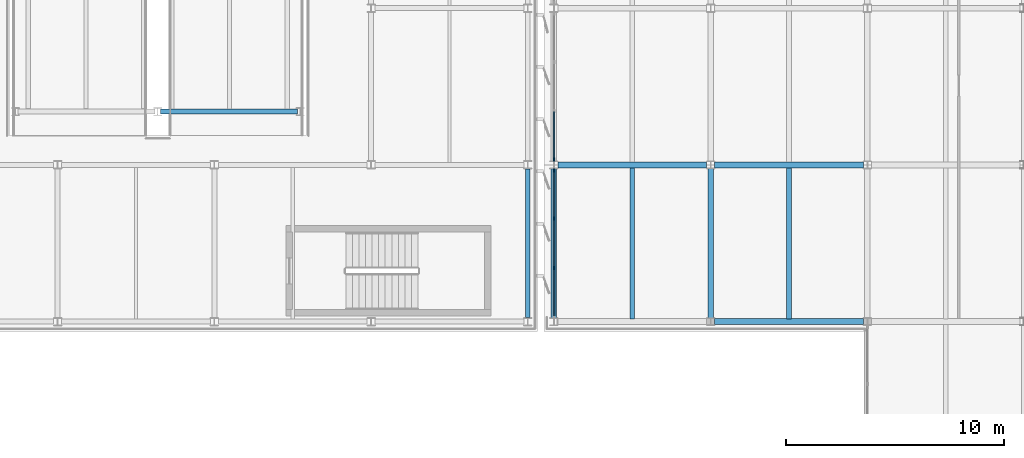
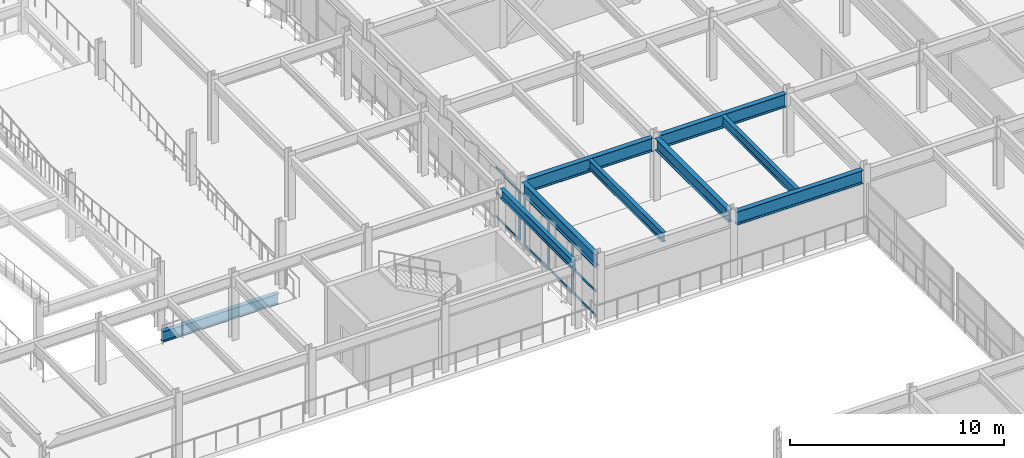
# One storey, part 30 of 80: 16 members, 9 beams, 2 elements without a shape of their own.
"""IFC4 building model written with IfcOpenShell, lengths in metres."""

from ifc_helpers import new_model, si_unit, direction, frame, origin, origin_2d, place, context, subcontext, project, spatial, rectangle, i_section, extrude, material, material_profile, profile_set, type_object, element, aggregate, save


model = new_model("IFC4")

# Units and contexts
model_context = context("Model", 3, precision=1e-05, world=origin(), true_north=direction((0.0, 1.0)))
body_context = subcontext(model_context, "Body", "Model", "MODEL_VIEW")
ifc_project = project(units=[si_unit("LENGTHUNIT", "METRE"), si_unit("AREAUNIT", "SQUARE_METRE"), si_unit("VOLUMEUNIT", "CUBIC_METRE"), si_unit("PLANEANGLEUNIT", "RADIAN"), si_unit("MASSUNIT", "GRAM", prefix="KILO")], contexts=[model_context])

# Site, building, storey
site_placement = place(None, origin())
site = spatial("IfcSite", under=ifc_project, at=site_placement, CompositionType="ELEMENT")
building_placement = place(site_placement, origin())
building = spatial("IfcBuilding", under=site, at=building_placement, Name="Vaelcorin Mobility Hub", CompositionType="ELEMENT")
storey_placement = place(building_placement, frame((0.0, 0.0, 9.300048828125)))
storey = spatial("IfcBuildingStorey", under=building, at=storey_placement, Name="L02", CompositionType="ELEMENT", Elevation=9.300048828125)

# Beams
ifc_material_1 = material(Name="Steel ASTM A992 Grade 50", Category="steel")
ifc_material_profile_1 = material_profile(ifc_material_1, i_section(OverallWidth=0.2099609375, OverallDepth=0.532958984375, WebThickness=0.01025390625, FlangeThickness=0.015625, FilletRadius=0.013916015625, at=origin_2d()), Name="W21X62")
ifc_profile_set_1 = profile_set([ifc_material_profile_1], Name="Steel ASTM A992 Grade 50")
beam_type_1 = type_object("IfcBeamType", Name="BM-W21X62", PredefinedType="JOIST", material=ifc_profile_set_1)
for number, where, z_axis, x_axis, name in (
    (1, (157.199951171875, 76.931884765625, 3.333984375), (0.0, 1.0, 0.0), (-1.0, 0.0, 0.0), "L02 Beam V5-L02-J-01-09-1"),
    (2, (164.39990234375, 76.931884765625, 3.333984375), (0.0, 1.0, 0.0), (-1.0, 0.0, 0.0), "L02 Beam V5-L02-J-02-09-1"),
):
    element("IfcBeam", number, at=place(storey_placement, frame(where, z_axis=z_axis, x_axis=x_axis)), inside=storey, type_object=beam_type_1, Name=name, PredefinedType="JOIST", context=body_context, shape_type="SweptSolid", body=[
        extrude(i_section(OverallWidth=0.2099609375, OverallDepth=0.532958984375, WebThickness=0.01025390625, FlangeThickness=0.015625, FilletRadius=0.013916015625, at=origin_2d()), origin(), (0.0, 0.0, 1.0), 6.93603515625),
    ])
ifc_material_profile_2 = material_profile(ifc_material_1, i_section(OverallWidth=0.2099609375, OverallDepth=0.535888671875, WebThickness=0.010986328125, FlangeThickness=0.017333984375, FilletRadius=0.013916015625, at=origin_2d()), Name="W21X68")
ifc_profile_set_2 = profile_set([ifc_material_profile_2], Name="Steel ASTM A992 Grade 50")
beam_type_2 = type_object("IfcBeamType", Name="BM-W21X68", PredefinedType="SPANDREL", material=ifc_profile_set_2)
beam_1_placement = place(storey_placement, frame((152.39990234375, 76.97998046875, 3.3818359375), z_axis=(0.0, 1.0, 0.0), x_axis=(-1.0, 0.0, 0.0)))
element("IfcBeam", 3, at=beam_1_placement, inside=storey, type_object=beam_type_2, Name="L02 Beam V2E-L02-GY-05-01", PredefinedType="SPANDREL", context=body_context, shape_type="SweptSolid", body=[
    extrude(i_section(OverallWidth=0.2099609375, OverallDepth=0.535888671875, WebThickness=0.010986328125, FlangeThickness=0.017333984375, FilletRadius=0.013916015625, at=origin_2d()), origin(), (0.0, 0.0, 1.0), 6.840087890625),
])
ifc_material_profile_3 = material_profile(ifc_material_1, i_section(OverallWidth=0.22900390625, OverallDepth=0.612060546875, WebThickness=0.011962890625, FlangeThickness=0.01953125, FilletRadius=0.014892578125, at=origin_2d()), Name="W24X84")
ifc_profile_set_3 = profile_set([ifc_material_profile_3], Name="Steel ASTM A992 Grade 50")
beam_type_3 = type_object("IfcBeamType", Name="BM-W24X84", PredefinedType="BEAM", material=ifc_profile_set_3)
beam_2_placement = place(storey_placement, frame((135.530029296875, 86.449951171875, -0.4990234375), z_axis=(1.0, 0.0, 0.0), x_axis=(0.0, 1.0, 0.0)))
element("IfcBeam", 4, at=beam_2_placement, inside=storey, type_object=beam_type_3, Name="Vehicle Ramp VR-2 L02 Bent Girder F1S", PredefinedType="BEAM", context=body_context, shape_type="SweptSolid", body=[
    extrude(i_section(OverallWidth=0.22900390625, OverallDepth=0.612060546875, WebThickness=0.011962890625, FlangeThickness=0.01953125, FilletRadius=0.014892578125, at=origin_2d()), origin(), (0.0, 0.0, 1.0), 6.2900390625),
])
ifc_material_profile_4 = material_profile(ifc_material_1, i_section(OverallWidth=0.25390625, OverallDepth=0.68310546875, WebThickness=0.012451171875, FlangeThickness=0.018798828125, FilletRadius=0.01611328125, at=origin_2d()), Name="W27X94")
ifc_profile_set_4 = profile_set([ifc_material_profile_4], Name="Steel ASTM A992 Grade 50")
beam_type_4 = type_object("IfcBeamType", Name="BM-W27X94", PredefinedType="BEAM", material=ifc_profile_set_4)
for number, where, z_axis, x_axis, name in (
    (5, (153.60009765625, 76.97607421875, 3.258056640625), (0.0, 1.0, 0.0), (-1.0, 0.0, 0.0), "L02 Beam V5-L02-GY-01-09"),
    (6, (160.800048828125, 76.97607421875, 3.258056640625), (0.0, 1.0, 0.0), (-1.0, 0.0, 0.0), "L02 Beam V5-L02-GY-02-09"),
):
    element("IfcBeam", number, at=place(storey_placement, frame(where, z_axis=z_axis, x_axis=x_axis)), inside=storey, type_object=beam_type_4, Name=name, PredefinedType="BEAM", context=body_context, shape_type="SweptSolid", body=[
        extrude(i_section(OverallWidth=0.25390625, OverallDepth=0.68310546875, WebThickness=0.012451171875, FlangeThickness=0.018798828125, FilletRadius=0.01611328125, at=origin_2d()), origin(), (0.0, 0.0, 1.0), 6.847900390625),
    ])
ifc_material_profile_5 = material_profile(ifc_material_1, i_section(OverallWidth=0.26708984375, OverallDepth=0.757080078125, WebThickness=0.013916015625, FlangeThickness=0.019287109375, FilletRadius=0.01708984375, at=origin_2d()), Name="W30X108")
ifc_profile_set_5 = profile_set([ifc_material_profile_5], Name="Steel ASTM A992 Grade 50")
beam_type_5 = type_object("IfcBeamType", Name="BM-W30X108", PredefinedType="BEAM", material=ifc_profile_set_5)
beam_3_placement = place(storey_placement, frame((160.98193359375, 76.800048828125, 3.221923828125), z_axis=(1.0, 0.0, 0.0), x_axis=(0.0, 1.0, 0.0)))
element("IfcBeam", 7, at=beam_3_placement, inside=storey, type_object=beam_type_5, Name="L02 Beam V5-L02-GX-09-02", PredefinedType="BEAM", context=body_context, shape_type="SweptSolid", body=[
    extrude(i_section(OverallWidth=0.26708984375, OverallDepth=0.757080078125, WebThickness=0.013916015625, FlangeThickness=0.019287109375, FilletRadius=0.01708984375, at=origin_2d()), origin(), (0.0, 0.0, 1.0), 6.836181640625),
])
beam_4_placement = place(storey_placement, frame((153.781982421875, 84.0, 3.221923828125), z_axis=(1.0, 0.0, 0.0), x_axis=(0.0, 1.0, 0.0)))
element("IfcBeam", 8, at=beam_4_placement, inside=storey, type_object=beam_type_5, Name="L02 Beam V5-L02-GX-10-01", PredefinedType="BEAM", context=body_context, shape_type="SweptSolid", body=[
    extrude(i_section(OverallWidth=0.26708984375, OverallDepth=0.757080078125, WebThickness=0.013916015625, FlangeThickness=0.019287109375, FilletRadius=0.01708984375, at=origin_2d()), origin(), (0.0, 0.0, 1.0), 6.8359375),
])
beam_5_placement = place(storey_placement, frame((160.98193359375, 84.0, 3.221923828125), z_axis=(1.0, 0.0, 0.0), x_axis=(0.0, 1.0, 0.0)))
element("IfcBeam", 9, at=beam_5_placement, inside=storey, type_object=beam_type_5, Name="L02 Beam V5-L02-GX-10-02", PredefinedType="BEAM", context=body_context, shape_type="SweptSolid", body=[
    extrude(i_section(OverallWidth=0.26708984375, OverallDepth=0.757080078125, WebThickness=0.013916015625, FlangeThickness=0.019287109375, FilletRadius=0.01708984375, at=origin_2d()), origin(), (0.0, 0.0, 1.0), 6.836181640625),
])

# Curtain wall, members
ifc_material_2 = material(Name="Anodised aluminium 6063-T6", Category="aluminium")
curtain_wall_type = type_object("IfcCurtainWallType", Name="CW-MOB-A", PredefinedType="NOTDEFINED", material=ifc_material_2)
curtain_wall_1_placement = place(storey_placement, origin())
curtain_wall_1 = element("IfcCurtainWall", 10, at=curtain_wall_1_placement, inside=storey, type_object=curtain_wall_type, Name="L02 Curtain Wall CW-V5-L02-WN-01", PredefinedType="NOTDEFINED")
ifc_material_profile_6 = material_profile(ifc_material_2, rectangle(XDim=0.06005859375, YDim=0.159912109375, at=origin_2d()), Name="ALU-M60X160")
ifc_profile_set_6 = profile_set([ifc_material_profile_6], Name="Anodised aluminium 6063-T6")
member_type_1 = type_object("IfcMemberType", Name="CW-MULL-160", PredefinedType="MULLION", material=ifc_profile_set_6)
member_1_placement = place(storey_placement, frame((153.60009765625, 79.2734375, 0.0), z_axis=(0.0, 0.0, 1.0), x_axis=(-1.0, 0.0, 0.0)))
member_1 = element("IfcMember", 11, at=member_1_placement, type_object=member_type_1, Name="CW7 mullion 2", PredefinedType="MULLION", context=body_context, shape_type="SweptSolid", body=[
    extrude(rectangle(XDim=0.06005859375, YDim=0.159912109375, at=origin_2d()), origin(), (0.0, 0.0, 1.0), 2.827880859375),
])
member_2_placement = place(storey_placement, frame((153.60009765625, 81.526611328125, 0.0), z_axis=(0.0, 0.0, 1.0), x_axis=(-1.0, 0.0, 0.0)))
member_2 = element("IfcMember", 12, at=member_2_placement, type_object=member_type_1, Name="CW7 mullion 3", PredefinedType="MULLION", context=body_context, shape_type="SweptSolid", body=[
    extrude(rectangle(XDim=0.06005859375, YDim=0.159912109375, at=origin_2d()), origin(), (0.0, 0.0, 1.0), 2.827880859375),
])
member_3_placement = place(storey_placement, frame((153.60009765625, 83.75, 0.0), z_axis=(0.0, 0.0, 1.0), x_axis=(-1.0, 0.0, 0.0)))
member_3 = element("IfcMember", 13, at=member_3_placement, type_object=member_type_1, Name="CW7 mullion 4", PredefinedType="MULLION", context=body_context, shape_type="SweptSolid", body=[
    extrude(rectangle(XDim=0.06005859375, YDim=0.159912109375, at=origin_2d()), origin(), (0.0, 0.0, 1.0), 2.827880859375),
])

# Curtain wall, member
curtain_wall_2_placement = place(storey_placement, origin())
curtain_wall_2 = element("IfcCurtainWall", 14, at=curtain_wall_2_placement, inside=storey, type_object=curtain_wall_type, Name="L02 Curtain Wall CW-V5-L02-WN-02", PredefinedType="NOTDEFINED")
member_4_placement = place(storey_placement, frame((153.60009765625, 84.25, 0.0), z_axis=(0.0, 0.0, 1.0), x_axis=(-1.0, 0.0, 0.0)))
member_4 = element("IfcMember", 15, at=member_4_placement, type_object=member_type_1, Name="CW7 mullion 1", PredefinedType="MULLION", context=body_context, shape_type="SweptSolid", body=[
    extrude(rectangle(XDim=0.06005859375, YDim=0.159912109375, at=origin_2d()), origin(), (0.0, 0.0, 1.0), 2.827880859375),
])

# Member
ifc_material_profile_7 = material_profile(ifc_material_2, rectangle(XDim=0.06005859375, YDim=0.1201171875, at=origin_2d()), Name="ALU-T60X120")
ifc_profile_set_7 = profile_set([ifc_material_profile_7], Name="Anodised aluminium 6063-T6")
member_type_2 = type_object("IfcMemberType", Name="CW-TRAN-140", PredefinedType="USERDEFINED", material=ifc_profile_set_7)
member_5_placement = place(storey_placement, frame((153.60009765625, 77.080078125, 0.030029296875), z_axis=(0.0, 1.0, 0.0), x_axis=(-1.0, 0.0, 0.0)))
member_5 = element("IfcMember", 16, at=member_5_placement, type_object=member_type_2, Name="CW7 transom 1.1", ObjectType="TRANSOM", PredefinedType="USERDEFINED", context=body_context, shape_type="SweptSolid", body=[
    extrude(rectangle(XDim=0.06005859375, YDim=0.1201171875, at=origin_2d()), origin(), (0.0, 0.0, 1.0), 2.163330078125),
])

member_6_placement = place(storey_placement, frame((153.60009765625, 77.080078125, 1.4140625), z_axis=(0.0, 1.0, 0.0), x_axis=(-1.0, 0.0, 0.0)))
member_6 = element("IfcMember", 17, at=member_6_placement, type_object=member_type_2, Name="CW7 transom 1.2", ObjectType="TRANSOM", PredefinedType="USERDEFINED", context=body_context, shape_type="SweptSolid", body=[
    extrude(rectangle(XDim=0.06005859375, YDim=0.1201171875, at=origin_2d()), origin(), (0.0, 0.0, 1.0), 2.163330078125),
])

member_7_placement = place(storey_placement, frame((153.60009765625, 77.080078125, 2.7978515625), z_axis=(0.0, 1.0, 0.0), x_axis=(-1.0, 0.0, 0.0)))
member_7 = element("IfcMember", 18, at=member_7_placement, type_object=member_type_2, Name="CW7 transom 1.3", ObjectType="TRANSOM", PredefinedType="USERDEFINED", context=body_context, shape_type="SweptSolid", body=[
    extrude(rectangle(XDim=0.06005859375, YDim=0.1201171875, at=origin_2d()), origin(), (0.0, 0.0, 1.0), 2.163330078125),
])

member_8_placement = place(storey_placement, frame((153.60009765625, 79.30322265625, 0.030029296875), z_axis=(0.0, 1.0, 0.0), x_axis=(-1.0, 0.0, 0.0)))
member_8 = element("IfcMember", 19, at=member_8_placement, type_object=member_type_2, Name="CW7 transom 2.1", ObjectType="TRANSOM", PredefinedType="USERDEFINED", context=body_context, shape_type="SweptSolid", body=[
    extrude(rectangle(XDim=0.06005859375, YDim=0.1201171875, at=origin_2d()), origin(), (0.0, 0.0, 1.0), 2.193359375),
])

member_9_placement = place(storey_placement, frame((153.60009765625, 79.30322265625, 1.4140625), z_axis=(0.0, 1.0, 0.0), x_axis=(-1.0, 0.0, 0.0)))
member_9 = element("IfcMember", 20, at=member_9_placement, type_object=member_type_2, Name="CW7 transom 2.2", ObjectType="TRANSOM", PredefinedType="USERDEFINED", context=body_context, shape_type="SweptSolid", body=[
    extrude(rectangle(XDim=0.06005859375, YDim=0.1201171875, at=origin_2d()), origin(), (0.0, 0.0, 1.0), 2.193359375),
])

member_10_placement = place(storey_placement, frame((153.60009765625, 79.30322265625, 2.7978515625), z_axis=(0.0, 1.0, 0.0), x_axis=(-1.0, 0.0, 0.0)))
member_10 = element("IfcMember", 21, at=member_10_placement, type_object=member_type_2, Name="CW7 transom 2.3", ObjectType="TRANSOM", PredefinedType="USERDEFINED", context=body_context, shape_type="SweptSolid", body=[
    extrude(rectangle(XDim=0.06005859375, YDim=0.1201171875, at=origin_2d()), origin(), (0.0, 0.0, 1.0), 2.193359375),
])

member_11_placement = place(storey_placement, frame((153.60009765625, 81.556640625, 0.030029296875), z_axis=(0.0, 1.0, 0.0), x_axis=(-1.0, 0.0, 0.0)))
member_11 = element("IfcMember", 22, at=member_11_placement, type_object=member_type_2, Name="CW7 transom 3.1", ObjectType="TRANSOM", PredefinedType="USERDEFINED", context=body_context, shape_type="SweptSolid", body=[
    extrude(rectangle(XDim=0.06005859375, YDim=0.1201171875, at=origin_2d()), origin(), (0.0, 0.0, 1.0), 2.163330078125),
])

member_12_placement = place(storey_placement, frame((153.60009765625, 81.556640625, 1.4140625), z_axis=(0.0, 1.0, 0.0), x_axis=(-1.0, 0.0, 0.0)))
member_12 = element("IfcMember", 23, at=member_12_placement, type_object=member_type_2, Name="CW7 transom 3.2", ObjectType="TRANSOM", PredefinedType="USERDEFINED", context=body_context, shape_type="SweptSolid", body=[
    extrude(rectangle(XDim=0.06005859375, YDim=0.1201171875, at=origin_2d()), origin(), (0.0, 0.0, 1.0), 2.163330078125),
])

member_13_placement = place(storey_placement, frame((153.60009765625, 81.556640625, 2.7978515625), z_axis=(0.0, 1.0, 0.0), x_axis=(-1.0, 0.0, 0.0)))
member_13 = element("IfcMember", 24, at=member_13_placement, type_object=member_type_2, Name="CW7 transom 3.3", ObjectType="TRANSOM", PredefinedType="USERDEFINED", context=body_context, shape_type="SweptSolid", body=[
    extrude(rectangle(XDim=0.06005859375, YDim=0.1201171875, at=origin_2d()), origin(), (0.0, 0.0, 1.0), 2.163330078125),
])

aggregate(curtain_wall_1, [member_1, member_2, member_3, member_5, member_6, member_7, member_8, member_9, member_10, member_11, member_12, member_13])

member_14_placement = place(storey_placement, frame((153.60009765625, 84.280029296875, 0.030029296875), z_axis=(0.0, 1.0, 0.0), x_axis=(-1.0, 0.0, 0.0)))
member_14 = element("IfcMember", 25, at=member_14_placement, type_object=member_type_2, Name="CW7 transom 1.1", ObjectType="TRANSOM", PredefinedType="USERDEFINED", context=body_context, shape_type="SweptSolid", body=[
    extrude(rectangle(XDim=0.06005859375, YDim=0.1201171875, at=origin_2d()), origin(), (0.0, 0.0, 1.0), 2.163330078125),
])

member_15_placement = place(storey_placement, frame((153.60009765625, 84.280029296875, 1.4140625), z_axis=(0.0, 1.0, 0.0), x_axis=(-1.0, 0.0, 0.0)))
member_15 = element("IfcMember", 26, at=member_15_placement, type_object=member_type_2, Name="CW7 transom 1.2", ObjectType="TRANSOM", PredefinedType="USERDEFINED", context=body_context, shape_type="SweptSolid", body=[
    extrude(rectangle(XDim=0.06005859375, YDim=0.1201171875, at=origin_2d()), origin(), (0.0, 0.0, 1.0), 2.163330078125),
])

member_16_placement = place(storey_placement, frame((153.60009765625, 84.280029296875, 2.7978515625), z_axis=(0.0, 1.0, 0.0), x_axis=(-1.0, 0.0, 0.0)))
member_16 = element("IfcMember", 27, at=member_16_placement, type_object=member_type_2, Name="CW7 transom 1.3", ObjectType="TRANSOM", PredefinedType="USERDEFINED", context=body_context, shape_type="SweptSolid", body=[
    extrude(rectangle(XDim=0.06005859375, YDim=0.1201171875, at=origin_2d()), origin(), (0.0, 0.0, 1.0), 2.163330078125),
])

aggregate(curtain_wall_2, [member_4, member_14, member_15, member_16])

save(model, "model.ifc")
